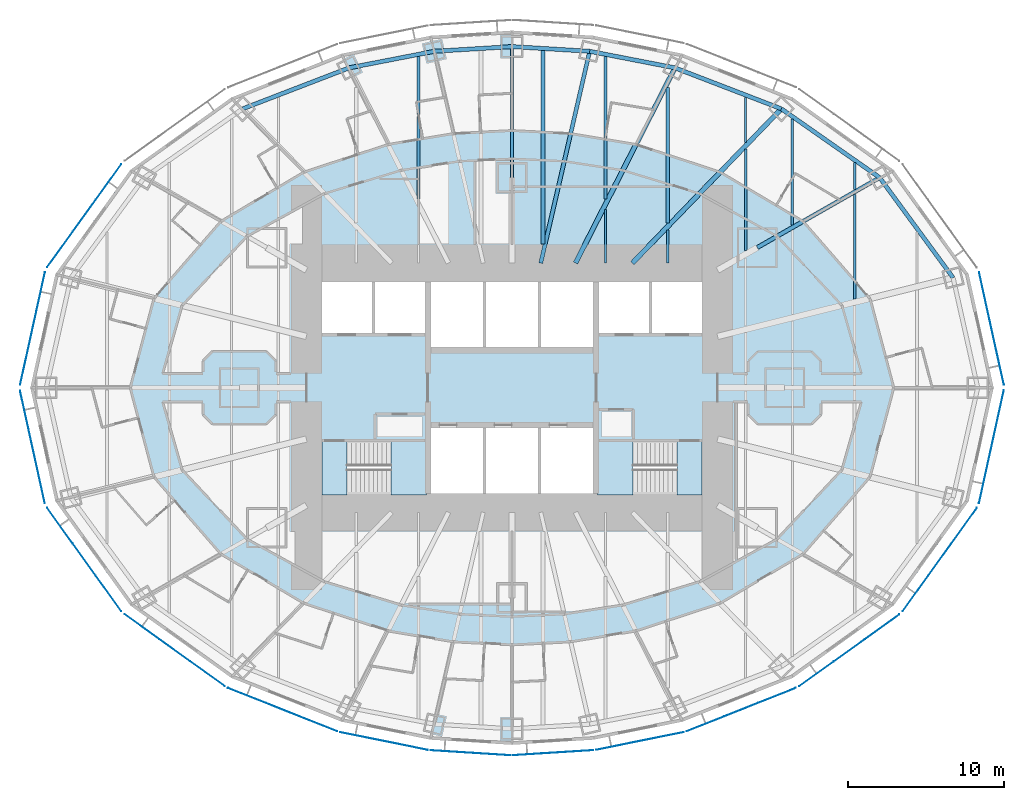
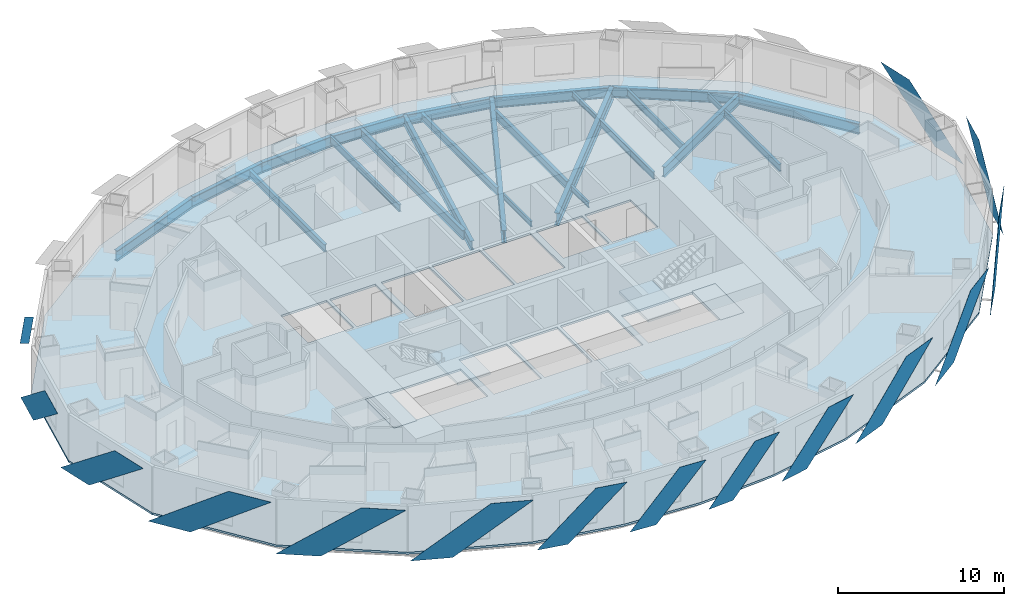
# One storey, part 3 of 15: 24 beams, 15 plates, 5 slabs, 2 elements without a shape of their own.
"""IFC4 building model written with IfcOpenShell, lengths in metres."""

from ifc_helpers import new_model, si_unit, direction, frame, origin, origin_2d, place, context, subcontext, project, spatial, polyline, i_section, outline, extrude, material, layer, layer_set, material_profile, profile_set, type_object, element, aggregate, save


model = new_model("IFC4")

# Units and contexts
model_context = context("Model", 3, precision=1e-05, world=origin(), true_north=direction((0.0, 1.0)))
body_context = subcontext(model_context, "Body", "Model", "MODEL_VIEW")
ifc_project = project(units=[si_unit("LENGTHUNIT", "METRE"), si_unit("AREAUNIT", "SQUARE_METRE"), si_unit("VOLUMEUNIT", "CUBIC_METRE"), si_unit("PLANEANGLEUNIT", "RADIAN"), si_unit("MASSUNIT", "GRAM", prefix="KILO")], contexts=[model_context])

# Site, building, storey
site_placement = place(None, origin())
site = spatial("IfcSite", under=ifc_project, at=site_placement, CompositionType="ELEMENT")
building_placement = place(site_placement, origin())
building = spatial("IfcBuilding", under=site, at=building_placement, Name="Lantaw Convention Tower", CompositionType="ELEMENT")
storey_placement = place(building_placement, frame((0.0, 0.0, 65.800048828125)))
storey = spatial("IfcBuildingStorey", under=building, at=storey_placement, Name="L14", CompositionType="ELEMENT", Elevation=65.800048828125)

# Beams
ifc_material_1 = material(Name="Steel ASTM A992", Category="steel")
ifc_material_profile_1 = material_profile(ifc_material_1, i_section(OverallWidth=0.2666015625, OverallDepth=0.76953125, WebThickness=0.015625, FlangeThickness=0.025390625, FilletRadius=0.0126953125, at=origin_2d()), Name="W30X132")
ifc_profile_set_1 = profile_set([ifc_material_profile_1], Name="Steel ASTM A992")
beam_type_1 = type_object("IfcBeamType", Name="Beam E W30X132", PredefinedType="SPANDREL", material=ifc_profile_set_1)
beam_1_placement = place(storey_placement, frame((28.31787109375, 7.060302734375, -0.534912109375), z_axis=(-0.591270709086, 0.806473154281, 0.0), x_axis=(-0.806473154281, -0.591270709086, 0.0)))
element("IfcBeam", 1, at=beam_1_placement, inside=storey, type_object=beam_type_1, Name="Edge beam 2", PredefinedType="SPANDREL", context=body_context, shape_type="SweptSolid", body=[
    extrude(i_section(OverallWidth=0.2666015625, OverallDepth=0.76953125, WebThickness=0.015625, FlangeThickness=0.025390625, FilletRadius=0.0126953125, at=origin_2d()), origin(), (0.0, 0.0, 1.0), 7.970703125),
])
beam_2_placement = place(storey_placement, frame((23.60498046875, 13.488525390625, -0.534912109375), z_axis=(-0.81942686407, 0.57318375277, 0.0), x_axis=(-0.57318375277, -0.81942686407, 0.0)))
element("IfcBeam", 2, at=beam_2_placement, inside=storey, type_object=beam_type_1, Name="Edge beam 3", PredefinedType="SPANDREL", context=body_context, shape_type="SweptSolid", body=[
    extrude(i_section(OverallWidth=0.2666015625, OverallDepth=0.76953125, WebThickness=0.015625, FlangeThickness=0.025390625, FilletRadius=0.0126953125, at=origin_2d()), origin(), (0.0, 0.0, 1.0), 7.70556640625),
])
beam_3_placement = place(storey_placement, frame((17.290771484375, 17.9052734375, -0.534912109375), z_axis=(-0.933232900641, 0.359271976588, 0.0), x_axis=(-0.359271976588, -0.933232900641, 0.0)))
element("IfcBeam", 3, at=beam_3_placement, inside=storey, type_object=beam_type_1, Name="Edge beam 4", PredefinedType="SPANDREL", context=body_context, shape_type="SweptSolid", body=[
    extrude(i_section(OverallWidth=0.2666015625, OverallDepth=0.76953125, WebThickness=0.015625, FlangeThickness=0.025390625, FilletRadius=0.0126953125, at=origin_2d()), origin(), (0.0, 0.0, 1.0), 7.316650390625),
])
beam_4_placement = place(storey_placement, frame((10.462646484375, 20.533935546875, -0.534912109375), z_axis=(-0.981636565323, 0.190760723474, 0.0), x_axis=(-0.190760723474, -0.981636565323, 0.0)))
element("IfcBeam", 4, at=beam_4_placement, inside=storey, type_object=beam_type_1, Name="Edge beam 5", PredefinedType="SPANDREL", context=body_context, shape_type="SweptSolid", body=[
    extrude(i_section(OverallWidth=0.2666015625, OverallDepth=0.76953125, WebThickness=0.015625, FlangeThickness=0.025390625, FilletRadius=0.0126953125, at=origin_2d()), origin(), (0.0, 0.0, 1.0), 5.578857421875),
])
for number, where, z_axis, x_axis, name in (
    (5, (4.986328125, 21.59814453125, -0.534912109375), (-0.998173858406, 0.060406526096, 0.0), (-0.060406526096, -0.998173858406, 0.0), "Edge beam 6"),
    (6, (0.0, 21.89990234375, -0.534912109375), (-0.998173858406, -0.060406526096, 0.0), (0.060406526096, -0.998173858406, 0.0), "Edge beam 7"),
):
    element("IfcBeam", number, at=place(storey_placement, frame(where, z_axis=z_axis, x_axis=x_axis)), inside=storey, type_object=beam_type_1, Name=name, PredefinedType="SPANDREL", context=body_context, shape_type="SweptSolid", body=[
        extrude(i_section(OverallWidth=0.2666015625, OverallDepth=0.76953125, WebThickness=0.015625, FlangeThickness=0.025390625, FilletRadius=0.0126953125, at=origin_2d()), origin(), (0.0, 0.0, 1.0), 4.995361328125),
    ])
beam_5_placement = place(storey_placement, frame((-4.986328125, 21.59814453125, -0.534912109375), z_axis=(-0.981636565323, -0.190760723474, 0.0), x_axis=(0.190760723474, -0.981636565323, 0.0)))
element("IfcBeam", 7, at=beam_5_placement, inside=storey, type_object=beam_type_1, Name="Edge beam 8", PredefinedType="SPANDREL", context=body_context, shape_type="SweptSolid", body=[
    extrude(i_section(OverallWidth=0.2666015625, OverallDepth=0.76953125, WebThickness=0.015625, FlangeThickness=0.025390625, FilletRadius=0.0126953125, at=origin_2d()), origin(), (0.0, 0.0, 1.0), 5.578857421875),
])
beam_6_placement = place(storey_placement, frame((-10.462646484375, 20.533935546875, -0.534912109375), z_axis=(-0.933232900641, -0.359271976588, 0.0), x_axis=(0.359271976588, -0.933232900641, 0.0)))
element("IfcBeam", 8, at=beam_6_placement, inside=storey, type_object=beam_type_1, Name="Edge beam 9", PredefinedType="SPANDREL", context=body_context, shape_type="SweptSolid", body=[
    extrude(i_section(OverallWidth=0.2666015625, OverallDepth=0.76953125, WebThickness=0.015625, FlangeThickness=0.025390625, FilletRadius=0.0126953125, at=origin_2d()), origin(), (0.0, 0.0, 1.0), 7.316650390625),
])
ifc_material_profile_2 = material_profile(ifc_material_1, i_section(OverallWidth=0.1650390625, OverallDepth=0.52587890625, WebThickness=0.0087890625, FlangeThickness=0.011474609375, FilletRadius=0.0126953125, at=origin_2d()), Name="W21X44")
ifc_profile_set_2 = profile_set([ifc_material_profile_2], Name="Steel ASTM A992")
beam_type_2 = type_object("IfcBeamType", Name="Beam G W21X44", PredefinedType="BEAM", material=ifc_profile_set_2)
beam_7_placement = place(storey_placement, frame((0.0, 13.5, -0.412841796875), z_axis=(0.0, 1.0, 0.0), x_axis=(-1.0, 0.0, 0.0)))
element("IfcBeam", 9, at=beam_7_placement, inside=storey, type_object=beam_type_2, Name="Floor girder on ray 7", PredefinedType="BEAM", context=body_context, shape_type="SweptSolid", body=[
    extrude(i_section(OverallWidth=0.1650390625, OverallDepth=0.52587890625, WebThickness=0.0087890625, FlangeThickness=0.011474609375, FilletRadius=0.0126953125, at=origin_2d()), origin(), (0.0, 0.0, 1.0), 8.39990234375),
])
ifc_material_profile_3 = material_profile(ifc_material_1, i_section(OverallWidth=0.25390625, OverallDepth=0.683349609375, WebThickness=0.012451171875, FlangeThickness=0.01904296875, FilletRadius=0.01513671875, at=origin_2d()), Name="W27X94")
ifc_profile_set_3 = profile_set([ifc_material_profile_3], Name="Steel ASTM A992")
beam_type_3 = type_object("IfcBeamType", Name="Beam G W27X94", PredefinedType="BEAM", material=ifc_profile_set_3)
beam_8_placement = place(storey_placement, frame((1.846923828125, 8.0, -0.49169921875), z_axis=(0.224952773175, 0.97436966796, 0.0), x_axis=(-0.97436966796, 0.224952773175, 0.0)))
element("IfcBeam", 10, at=beam_8_placement, inside=storey, type_object=beam_type_3, Name="Floor girder on ray 6", PredefinedType="BEAM", context=body_context, shape_type="SweptSolid", body=[
    extrude(i_section(OverallWidth=0.25390625, OverallDepth=0.683349609375, WebThickness=0.012451171875, FlangeThickness=0.01904296875, FilletRadius=0.01513671875, at=origin_2d()), origin(), (0.0, 0.0, 1.0), 13.955810546875),
])
ifc_material_profile_4 = material_profile(ifc_material_1, i_section(OverallWidth=0.2666015625, OverallDepth=0.7568359375, WebThickness=0.013916015625, FlangeThickness=0.019287109375, FilletRadius=0.0126953125, at=origin_2d()), Name="W30X108")
ifc_profile_set_4 = profile_set([ifc_material_profile_4], Name="Steel ASTM A992")
beam_type_4 = type_object("IfcBeamType", Name="Beam G W30X108", PredefinedType="BEAM", material=ifc_profile_set_4)
beam_9_placement = place(storey_placement, frame((15.75, 9.0, -0.528564453125), z_axis=(0.868244802791, 0.496136032179, 0.0), x_axis=(-0.496136032179, 0.868244802791, 0.0)))
element("IfcBeam", 11, at=beam_9_placement, inside=storey, type_object=beam_type_4, Name="Floor girder on ray 3", PredefinedType="BEAM", context=body_context, shape_type="SweptSolid", body=[
    extrude(i_section(OverallWidth=0.2666015625, OverallDepth=0.7568359375, WebThickness=0.013916015625, FlangeThickness=0.019287109375, FilletRadius=0.0126953125, at=origin_2d()), origin(), (0.0, 0.0, 1.0), 9.046875),
])
ifc_material_profile_5 = material_profile(ifc_material_1, i_section(OverallWidth=0.307373046875, OverallDepth=0.922119140625, WebThickness=0.018310546875, FlangeThickness=0.030029296875, FilletRadius=0.0126953125, at=origin_2d()), Name="W36X182")
ifc_profile_set_5 = profile_set([ifc_material_profile_5], Name="Steel ASTM A992")
beam_type_5 = type_object("IfcBeamType", Name="Beam G W36X182", PredefinedType="BEAM", material=ifc_profile_set_5)
beam_10_placement = place(storey_placement, frame((7.7255859375, 8.0, -0.611083984375), z_axis=(0.694649884291, 0.719347995239, 0.0), x_axis=(-0.719347995239, 0.694649884291, 0.0)))
element("IfcBeam", 12, at=beam_10_placement, inside=storey, type_object=beam_type_5, Name="Floor girder on ray 4", PredefinedType="BEAM", context=body_context, shape_type="SweptSolid", body=[
    extrude(i_section(OverallWidth=0.307373046875, OverallDepth=0.922119140625, WebThickness=0.018310546875, FlangeThickness=0.030029296875, FilletRadius=0.0126953125, at=origin_2d()), origin(), (0.0, 0.0, 1.0), 13.769775390625),
])
beam_11_placement = place(storey_placement, frame((4.076171875, 8.0, -0.611083984375), z_axis=(0.453997016122, 0.891003203896, 0.0), x_axis=(-0.891003203896, 0.453997016122, 0.0)))
element("IfcBeam", 13, at=beam_11_placement, inside=storey, type_object=beam_type_5, Name="Floor girder on ray 5", PredefinedType="BEAM", context=body_context, shape_type="SweptSolid", body=[
    extrude(i_section(OverallWidth=0.307373046875, OverallDepth=0.922119140625, WebThickness=0.018310546875, FlangeThickness=0.030029296875, FilletRadius=0.0126953125, at=origin_2d()), origin(), (0.0, 0.0, 1.0), 14.067138671875),
])
ifc_material_profile_6 = material_profile(ifc_material_1, i_section(OverallWidth=0.140380859375, OverallDepth=0.40380859375, WebThickness=0.007080078125, FlangeThickness=0.01123046875, FilletRadius=0.01025390625, at=origin_2d()), Name="W16X31")
ifc_profile_set_6 = profile_set([ifc_material_profile_6], Name="Steel ASTM A992")
beam_type_6 = type_object("IfcBeamType", Name="Beam J W16X31", PredefinedType="JOIST", material=ifc_profile_set_6)
beam_12_placement = place(storey_placement, frame((6.0, 8.0, -0.35205078125), z_axis=(0.0, 1.0, 0.0), x_axis=(-1.0, 0.0, 0.0)))
element("IfcBeam", 14, at=beam_12_placement, inside=storey, type_object=beam_type_6, Name="Floor joist", PredefinedType="JOIST", context=body_context, shape_type="SweptSolid", body=[
    extrude(i_section(OverallWidth=0.140380859375, OverallDepth=0.40380859375, WebThickness=0.007080078125, FlangeThickness=0.01123046875, FilletRadius=0.01025390625, at=origin_2d()), origin(), (0.0, 0.0, 1.0), 3.437255859375),
])
beam_13_placement = place(storey_placement, frame((10.0, 8.0, -0.35205078125), z_axis=(0.0, 1.0, 0.0), x_axis=(-1.0, 0.0, 0.0)))
element("IfcBeam", 15, at=beam_13_placement, inside=storey, type_object=beam_type_6, Name="Floor joist", PredefinedType="JOIST", context=body_context, shape_type="SweptSolid", body=[
    extrude(i_section(OverallWidth=0.140380859375, OverallDepth=0.40380859375, WebThickness=0.007080078125, FlangeThickness=0.01123046875, FilletRadius=0.01025390625, at=origin_2d()), origin(), (0.0, 0.0, 1.0), 2.134033203125),
])
beam_14_placement = place(storey_placement, frame((15.0, 15.754150390625, -0.35205078125), z_axis=(0.0, 1.0, 0.0), x_axis=(-1.0, 0.0, 0.0)))
element("IfcBeam", 16, at=beam_14_placement, inside=storey, type_object=beam_type_6, Name="Floor joist", PredefinedType="JOIST", context=body_context, shape_type="SweptSolid", body=[
    extrude(i_section(OverallWidth=0.140380859375, OverallDepth=0.40380859375, WebThickness=0.007080078125, FlangeThickness=0.01123046875, FilletRadius=0.01025390625, at=origin_2d()), origin(), (0.0, 0.0, 1.0), 2.89013671875),
])
beam_15_placement = place(storey_placement, frame((22.0, 12.72509765625, -0.35205078125), z_axis=(0.0, 1.0, 0.0), x_axis=(-1.0, 0.0, 0.0)))
element("IfcBeam", 17, at=beam_15_placement, inside=storey, type_object=beam_type_6, Name="Floor joist", PredefinedType="JOIST", context=body_context, shape_type="SweptSolid", body=[
    extrude(i_section(OverallWidth=0.140380859375, OverallDepth=0.40380859375, WebThickness=0.007080078125, FlangeThickness=0.01123046875, FilletRadius=0.01025390625, at=origin_2d()), origin(), (0.0, 0.0, 1.0), 1.723388671875),
])
ifc_material_profile_7 = material_profile(ifc_material_1, i_section(OverallWidth=0.1650390625, OverallDepth=0.52587890625, WebThickness=0.0087890625, FlangeThickness=0.011474609375, FilletRadius=0.0126953125, at=origin_2d()), Name="W21X44")
ifc_profile_set_7 = profile_set([ifc_material_profile_7], Name="Steel ASTM A992")
beam_type_7 = type_object("IfcBeamType", Name="Beam J W21X44", PredefinedType="JOIST", material=ifc_profile_set_7)
beam_16_placement = place(storey_placement, frame((15.0, 8.803955078125, -0.412841796875), z_axis=(0.0, 1.0, 0.0), x_axis=(-1.0, 0.0, 0.0)))
element("IfcBeam", 18, at=beam_16_placement, inside=storey, type_object=beam_type_7, Name="Floor joist", PredefinedType="JOIST", context=body_context, shape_type="SweptSolid", body=[
    extrude(i_section(OverallWidth=0.1650390625, OverallDepth=0.52587890625, WebThickness=0.0087890625, FlangeThickness=0.011474609375, FilletRadius=0.0126953125, at=origin_2d()), origin(), (0.0, 0.0, 1.0), 6.5078125),
])
beam_17_placement = place(storey_placement, frame((18.0, 10.439208984375, -0.412841796875), z_axis=(0.0, 1.0, 0.0), x_axis=(-1.0, 0.0, 0.0)))
element("IfcBeam", 19, at=beam_17_placement, inside=storey, type_object=beam_type_7, Name="Floor joist", PredefinedType="JOIST", context=body_context, shape_type="SweptSolid", body=[
    extrude(i_section(OverallWidth=0.1650390625, OverallDepth=0.52587890625, WebThickness=0.0087890625, FlangeThickness=0.011474609375, FilletRadius=0.0126953125, at=origin_2d()), origin(), (0.0, 0.0, 1.0), 6.80712890625),
])
beam_18_placement = place(storey_placement, frame((22.0, 5.693359375, -0.412841796875), z_axis=(0.0, 1.0, 0.0), x_axis=(-1.0, 0.0, 0.0)))
element("IfcBeam", 20, at=beam_18_placement, inside=storey, type_object=beam_type_7, Name="Floor joist", PredefinedType="JOIST", context=body_context, shape_type="SweptSolid", body=[
    extrude(i_section(OverallWidth=0.1650390625, OverallDepth=0.52587890625, WebThickness=0.0087890625, FlangeThickness=0.011474609375, FilletRadius=0.0126953125, at=origin_2d()), origin(), (0.0, 0.0, 1.0), 6.724609375),
])
ifc_material_profile_8 = material_profile(ifc_material_1, i_section(OverallWidth=0.2099609375, OverallDepth=0.535888671875, WebThickness=0.010986328125, FlangeThickness=0.017333984375, FilletRadius=0.012939453125, at=origin_2d()), Name="W21X68")
ifc_profile_set_8 = profile_set([ifc_material_profile_8], Name="Steel ASTM A992")
beam_type_8 = type_object("IfcBeamType", Name="Beam J W21X68", PredefinedType="JOIST", material=ifc_profile_set_8)
for number, where, z_axis, x_axis, name in (
    (21, (-6.0, 12.1142578125, -0.41796875), (0.0, 1.0, 0.0), (-1.0, 0.0, 0.0), "Floor joist"),
    (22, (6.0, 12.1142578125, -0.41796875), (0.0, 1.0, 0.0), (-1.0, 0.0, 0.0), "Floor joist"),
):
    element("IfcBeam", number, at=place(storey_placement, frame(where, z_axis=z_axis, x_axis=x_axis)), inside=storey, type_object=beam_type_8, Name=name, PredefinedType="JOIST", context=body_context, shape_type="SweptSolid", body=[
        extrude(i_section(OverallWidth=0.2099609375, OverallDepth=0.535888671875, WebThickness=0.010986328125, FlangeThickness=0.017333984375, FilletRadius=0.012939453125, at=origin_2d()), origin(), (0.0, 0.0, 1.0), 9.15087890625),
    ])
ifc_material_profile_9 = material_profile(ifc_material_1, i_section(OverallWidth=0.227783203125, OverallDepth=0.60205078125, WebThickness=0.010498046875, FlangeThickness=0.014892578125, FilletRadius=0.012939453125, at=origin_2d()), Name="W24X68")
ifc_profile_set_9 = profile_set([ifc_material_profile_9], Name="Steel ASTM A992")
beam_type_9 = type_object("IfcBeamType", Name="Beam J W24X68", PredefinedType="JOIST", material=ifc_profile_set_9)
beam_19_placement = place(storey_placement, frame((10.0, 10.576416015625, -0.450927734375), z_axis=(0.0, 1.0, 0.0), x_axis=(-1.0, 0.0, 0.0)))
element("IfcBeam", 23, at=beam_19_placement, inside=storey, type_object=beam_type_9, Name="Floor joist", PredefinedType="JOIST", context=body_context, shape_type="SweptSolid", body=[
    extrude(i_section(OverallWidth=0.227783203125, OverallDepth=0.60205078125, WebThickness=0.010498046875, FlangeThickness=0.014892578125, FilletRadius=0.012939453125, at=origin_2d()), origin(), (0.0, 0.0, 1.0), 8.711181640625),
])
ifc_material_profile_10 = material_profile(ifc_material_1, i_section(OverallWidth=0.25390625, OverallDepth=0.700927734375, WebThickness=0.015380859375, FlangeThickness=0.02783203125, FilletRadius=0.01513671875, at=origin_2d()), Name="W27X129")
ifc_profile_set_10 = profile_set([ifc_material_profile_10], Name="Steel ASTM A992")
beam_type_10 = type_object("IfcBeamType", Name="Beam J W27X129", PredefinedType="JOIST", material=ifc_profile_set_10)
beam_20_placement = place(storey_placement, frame((2.0, 9.2275390625, -0.50048828125), z_axis=(0.0, 1.0, 0.0), x_axis=(-1.0, 0.0, 0.0)))
element("IfcBeam", 24, at=beam_20_placement, inside=storey, type_object=beam_type_10, Name="Floor joist", PredefinedType="JOIST", context=body_context, shape_type="SweptSolid", body=[
    extrude(i_section(OverallWidth=0.25390625, OverallDepth=0.700927734375, WebThickness=0.015380859375, FlangeThickness=0.02783203125, FilletRadius=0.01513671875, at=origin_2d()), origin(), (0.0, 0.0, 1.0), 12.417724609375),
])

# Slab
ifc_material_2 = material(Name="Concrete C35/45", Category="concrete")
ifc_layer_1 = layer(ifc_material_2, 0.14990234375)
ifc_layer_set_1 = layer_set([ifc_layer_1], Name="Floor slab 150")
slab_type_1 = type_object("IfcSlabType", Name="Floor slab 150", PredefinedType="FLOOR", material=ifc_layer_set_1)
slab_1_placement = place(storey_placement, frame((0.0, 0.0, -0.150146484375)))
element("IfcSlab", 25, at=slab_1_placement, inside=storey, type_object=slab_type_1, Name="L14 floor slab", PredefinedType="FLOOR", context=body_context, shape_type="SweptSolid", body=[
    extrude(outline(polyline([(29.315185546875, -7.29541015625), (30.923095703125, 0.0), (29.315185546875, 7.29541015625), (24.50634765625, 13.98046875), (18.018798828125, 18.630126953125), (10.9404296875, 21.44189453125), (5.223876953125, 22.59521484375), (0.0, 22.9248046875), (-5.223876953125, 22.59521484375), (-10.9404296875, 21.44189453125), (-18.018798828125, 18.630126953125), (-24.50634765625, 13.98046875), (-29.315185546875, 7.29541015625), (-30.923095703125, 0.0), (-29.315185546875, -7.29541015625), (-24.50634765625, -13.98046875), (-18.018798828125, -18.630126953125), (-10.9404296875, -21.44189453125), (-5.223876953125, -22.59521484375), (0.0, -22.9248046875), (5.223876953125, -22.59521484375), (10.9404296875, -21.44189453125), (18.018798828125, -18.630126953125), (24.50634765625, -13.98046875), (29.315185546875, -7.29541015625)]), holes=[polyline([(-5.60009765625, -3.5), (-12.199951171875, -3.5), (-12.199951171875, -6.800048828125), (-5.60009765625, -6.800048828125), (-5.60009765625, -3.5)]), polyline([(-1.86669921875, -6.800048828125), (-1.86669921875, -2.60009765625), (-5.199951171875, -2.60009765625), (-5.199951171875, -6.800048828125), (-1.86669921875, -6.800048828125)]), polyline([(-1.86669921875, 2.60009765625), (-1.86669921875, 6.800048828125), (-5.199951171875, 6.800048828125), (-5.199951171875, 2.60009765625), (-1.86669921875, 2.60009765625)]), polyline([(1.666748046875, 6.800048828125), (-1.666748046875, 6.800048828125), (-1.666748046875, 2.60009765625), (1.666748046875, 2.60009765625), (1.666748046875, 6.800048828125)]), polyline([(-9.0, 3.5), (-9.0, 6.800048828125), (-12.199951171875, 6.800048828125), (-12.199951171875, 3.5), (-9.0, 3.5)]), polyline([(-5.60009765625, 3.5), (-5.60009765625, 6.800048828125), (-8.800048828125, 6.800048828125), (-8.800048828125, 3.5), (-5.60009765625, 3.5)]), polyline([(12.199951171875, -3.5), (5.60009765625, -3.5), (5.60009765625, -6.800048828125), (12.199951171875, -6.800048828125), (12.199951171875, -3.5)]), polyline([(1.666748046875, -6.800048828125), (1.666748046875, -2.60009765625), (-1.666748046875, -2.60009765625), (-1.666748046875, -6.800048828125), (1.666748046875, -6.800048828125)]), polyline([(5.199951171875, -6.800048828125), (5.199951171875, -2.60009765625), (1.86669921875, -2.60009765625), (1.86669921875, -6.800048828125), (5.199951171875, -6.800048828125)]), polyline([(5.199951171875, 6.800048828125), (1.86669921875, 6.800048828125), (1.86669921875, 2.60009765625), (5.199951171875, 2.60009765625), (5.199951171875, 6.800048828125)]), polyline([(8.800048828125, 3.5), (8.800048828125, 6.800048828125), (5.60009765625, 6.800048828125), (5.60009765625, 3.5), (8.800048828125, 3.5)]), polyline([(12.199951171875, 3.5), (12.199951171875, 6.800048828125), (9.0, 6.800048828125), (9.0, 3.5), (12.199951171875, 3.5)])]), origin(), (0.0, 0.0, 1.0), 0.150146484375),
])

# Plates
ifc_material_3 = material(Name="Perforated aluminium sheet, pale silver finish", Category="aluminium")
ifc_layer_2 = layer(ifc_material_3, 0.006103515625)
ifc_layer_set_2 = layer_set([ifc_layer_2], Name="Perforated aluminium solar SCREEN panel")
plate_type = type_object("IfcPlateType", Name="Perforated aluminium solar SCREEN panel", PredefinedType="SHEET", material=ifc_layer_set_2)
plate_1_placement = place(storey_placement, frame((31.5810546875, 0.17919921875, -0.175048828125), z_axis=(-0.97655943558, -0.215247921852, 3.0295023e-05), x_axis=(-0.215247921951, 0.976559436028, 3.12e-10)))
element("IfcPlate", 26, at=plate_1_placement, inside=storey, type_object=plate_type, Name="Solar SCREEN panel", PredefinedType="SHEET", context=body_context, shape_type="SweptSolid", body=[
    extrude(outline(polyline([(0.0, 0.0), (2.551002212329069, 3.3881317890172014e-21), (7.402498252985418, -3.739990233781388), (4.851734458487411, -3.7399902353733405), (0.0, 0.0)])), origin(), (0.0, 0.0, -1.0), 0.006103515625),
])
plate_2_placement = place(storey_placement, frame((-25.0810546875, 14.34765625, -0.175048828125), z_axis=(0.811791382613, -0.583947558463, 9.019268e-06), x_axis=(-0.583947558486, -0.811791382646, 0.0)))
element("IfcPlate", 27, at=plate_2_placement, inside=storey, type_object=plate_type, Name="Solar SCREEN panel", PredefinedType="SHEET", context=body_context, shape_type="SweptSolid", body=[
    extrude(outline(polyline([(0.0, 0.0), (2.809541672291133, 0.0), (8.163093158837512, -3.739990234527119), (5.353551486546379, -3.739990234527119), (0.0, 0.0)])), origin(), (0.0, 0.0, -1.0), 0.006103515625),
])
plate_3_placement = place(storey_placement, frame((-29.98779296875, 7.408203125, -0.175048828125), z_axis=(-0.97655943558, 0.215247921852, 3.0295023e-05), x_axis=(-0.215247921951, -0.976559436028, -3.12e-10)))
element("IfcPlate", 28, at=plate_3_placement, inside=storey, type_object=plate_type, Name="Solar SCREEN panel", PredefinedType="SHEET", context=body_context, shape_type="SweptSolid", body=[
    extrude(outline(polyline([(0.0, 0.0), (2.5507637944980077, 6.776263578034403e-21), (7.402498250651261, 3.7399902384013473), (4.851496038322192, 3.739990236809246), (0.0, 0.0)])), origin(), (0.0, 0.0, -1.0), 0.006103515625),
])
plate_4_placement = place(storey_placement, frame((-31.5810546875, -0.17919921875, -0.175048828125), z_axis=(0.97655943558, 0.215247921852, 3.0295023e-05), x_axis=(0.215247921951, -0.976559436028, 3.12e-10)))
element("IfcPlate", 29, at=plate_4_placement, inside=storey, type_object=plate_type, Name="Solar SCREEN panel", PredefinedType="SHEET", context=body_context, shape_type="SweptSolid", body=[
    extrude(outline(polyline([(0.0, 0.0), (2.551002212329069, 3.3881317890172014e-21), (7.402498252985418, -3.739990233781388), (4.851734458487411, -3.7399902353733405), (0.0, 0.0)])), origin(), (0.0, 0.0, -1.0), 0.006103515625),
])
plate_5_placement = place(storey_placement, frame((-29.847900390625, -7.720947265625, -0.175048828125), z_axis=(-0.811791382613, -0.583947558463, 9.019268e-06), x_axis=(0.583947558486, -0.811791382646, 0.0)))
element("IfcPlate", 30, at=plate_5_placement, inside=storey, type_object=plate_type, Name="Solar SCREEN panel", PredefinedType="SHEET", context=body_context, shape_type="SweptSolid", body=[
    extrude(outline(polyline([(0.0, 0.0), (2.809541672291133, 0.0), (8.163093158837512, 3.739990234527119), (5.353551486546379, 3.739990234527119), (0.0, 0.0)])), origin(), (0.0, 0.0, -1.0), 0.006103515625),
])
plate_6_placement = place(storey_placement, frame((-24.872314453125, -14.555908203125, -0.175048828125), z_axis=(-0.582561421998, -0.812786681331, 1.5819417e-05), x_axis=(0.812786681433, -0.582561422071, 0.0)))
element("IfcPlate", 31, at=plate_6_placement, inside=storey, type_object=plate_type, Name="Solar SCREEN panel", PredefinedType="SHEET", context=body_context, shape_type="SweptSolid", body=[
    extrude(outline(polyline([(0.0, 0.0), (2.721095180812288, 3.3881317890172014e-21), (7.903118572410756, 3.739990234842974), (5.182023391598468, 3.739990234842974), (0.0, 0.0)])), origin(), (0.0, 0.0, -1.0), 0.006103515625),
])
plate_7_placement = place(storey_placement, frame((-18.232177734375, -19.278076171875, -0.175048828125), z_axis=(0.369183532846, 0.929356508016, 9.163296e-06), x_axis=(0.929356508055, -0.369183532862, 0.0)))
element("IfcPlate", 32, at=plate_7_placement, inside=storey, type_object=plate_type, Name="Solar SCREEN panel", PredefinedType="SHEET", context=body_context, shape_type="SweptSolid", body=[
    extrude(outline(polyline([(0.0, 0.0), (2.594936467166582, -1.6940658945086007e-21), (7.5321069917580825, -3.739990234532016), (4.937170524591499, -3.739990234532016), (0.0, 0.0)])), origin(), (0.0, 0.0, -1.0), 0.006103515625),
])
plate_8_placement = place(storey_placement, frame((-11.03271484375, -22.117919921875, -0.175048828125), z_axis=(0.197781876197, 0.980246055561, 2.418535e-06), x_axis=(0.980246055563, -0.197781876198, 1.46e-10)))
element("IfcPlate", 33, at=plate_8_placement, inside=storey, type_object=plate_type, Name="Solar SCREEN panel", PredefinedType="SHEET", context=body_context, shape_type="SweptSolid", body=[
    extrude(outline(polyline([(0.0, 0.0), (1.9867801772236329, -3.1763735522036263e-22), (5.743587245978565, -3.7399902335493134), (3.7568553553458006, -3.739990234128105), (0.0, 0.0)])), origin(), (0.0, 0.0, -1.0), 0.006103515625),
])
plate_9_placement = place(storey_placement, frame((-5.221923828125, -23.27783203125, -0.175048828125), z_axis=(0.062923905251, 0.998018327468, 1.3605496e-05), x_axis=(0.998018327561, -0.062923905257, 9.3e-10)))
element("IfcPlate", 34, at=plate_9_placement, inside=storey, type_object=plate_type, Name="Solar SCREEN panel", PredefinedType="SHEET", context=body_context, shape_type="SweptSolid", body=[
    extrude(outline(polyline([(0.0, 0.0), (1.7828375409377817, -2.117582368135751e-22), (5.143985963027618, -3.739990229938699), (3.3611637843713935, -3.7399902332537565), (0.0, 0.0)])), origin(), (0.0, 0.0, -1.0), 0.006103515625),
])
plate_10_placement = place(storey_placement, frame((0.088134765625, -23.6015625, -0.175048828125), z_axis=(0.062923905251, -0.998018327468, 1.3605496e-05), x_axis=(0.998018327561, 0.062923905257, -9.3e-10)))
element("IfcPlate", 35, at=plate_10_placement, inside=storey, type_object=plate_type, Name="Solar SCREEN panel", PredefinedType="SHEET", context=body_context, shape_type="SweptSolid", body=[
    extrude(outline(polyline([(0.0, 0.0), (1.782822178656225, -2.117582368135751e-22), (5.143985956073316, 3.7399902395036517), (3.3611484151355353, 3.7399902361885653), (0.0, 0.0)])), origin(), (0.0, 0.0, -1.0), 0.006103515625),
])
plate_11_placement = place(storey_placement, frame((5.402587890625, -23.25390625, -0.175048828125), z_axis=(0.197781876197, -0.980246055561, 2.418535e-06), x_axis=(0.980246055563, 0.197781876198, -1.46e-10)))
element("IfcPlate", 36, at=plate_11_placement, inside=storey, type_object=plate_type, Name="Solar SCREEN panel", PredefinedType="SHEET", context=body_context, shape_type="SweptSolid", body=[
    extrude(outline(polyline([(0.0, 0.0), (1.9867318906327642, 1.0587911840678754e-22), (5.743587244888999, 3.7399902352225842), (3.7568070676653664, 3.7399902346437783), (0.0, 0.0)])), origin(), (0.0, 0.0, -1.0), 0.006103515625),
])
plate_12_placement = place(storey_placement, frame((11.232177734375, -22.058837890625, -0.175048828125), z_axis=(0.369183532846, -0.929356508016, 9.163296e-06), x_axis=(0.929356508055, 0.369183532862, 0.0)))
element("IfcPlate", 37, at=plate_12_placement, inside=storey, type_object=plate_type, Name="Solar SCREEN panel", PredefinedType="SHEET", context=body_context, shape_type="SweptSolid", body=[
    extrude(outline(polyline([(0.0, 0.0), (2.594936467166582, 1.6940658945086007e-21), (7.5321069917580825, 3.739990234532016), (4.937170524591499, 3.739990234532016), (0.0, 0.0)])), origin(), (0.0, 0.0, -1.0), 0.006103515625),
])
plate_13_placement = place(storey_placement, frame((18.44873046875, -19.159912109375, -0.175048828125), z_axis=(-0.582561421998, 0.812786681331, 1.5819417e-05), x_axis=(0.812786681433, 0.582561422071, 0.0)))
element("IfcPlate", 38, at=plate_13_placement, inside=storey, type_object=plate_type, Name="Solar SCREEN panel", PredefinedType="SHEET", context=body_context, shape_type="SweptSolid", body=[
    extrude(outline(polyline([(0.0, 0.0), (2.721095180812288, -3.3881317890172014e-21), (7.903118572410756, -3.739990234842974), (5.182023391598468, -3.739990234842974), (0.0, 0.0)])), origin(), (0.0, 0.0, -1.0), 0.006103515625),
])
plate_14_placement = place(storey_placement, frame((25.0810546875, -14.34765625, -0.175048828125), z_axis=(-0.811791382613, 0.583947558463, 9.019268e-06), x_axis=(0.583947558486, 0.811791382646, 0.0)))
element("IfcPlate", 39, at=plate_14_placement, inside=storey, type_object=plate_type, Name="Solar SCREEN panel", PredefinedType="SHEET", context=body_context, shape_type="SweptSolid", body=[
    extrude(outline(polyline([(0.0, 0.0), (2.809541672291133, 0.0), (8.163093158837512, -3.739990234527119), (5.353551486546379, -3.739990234527119), (0.0, 0.0)])), origin(), (0.0, 0.0, -1.0), 0.006103515625),
])
plate_15_placement = place(storey_placement, frame((29.98779296875, -7.408203125, -0.175048828125), z_axis=(0.97655943558, -0.215247921852, 3.0295023e-05), x_axis=(0.215247921951, 0.976559436028, -3.12e-10)))
element("IfcPlate", 40, at=plate_15_placement, inside=storey, type_object=plate_type, Name="Solar SCREEN panel", PredefinedType="SHEET", context=body_context, shape_type="SweptSolid", body=[
    extrude(outline(polyline([(0.0, 0.0), (2.5507637944980077, 6.776263578034403e-21), (7.402498250651261, 3.7399902384013473), (4.851496038322192, 3.739990236809246), (0.0, 0.0)])), origin(), (0.0, 0.0, -1.0), 0.006103515625),
])

# Stair, slabs
stair_type = type_object("IfcStairType", Name="Exit stair 1500 riser 163.64 in 2 flights", PredefinedType="HALF_TURN_STAIR", material=ifc_material_2)
stair_1_placement = place(storey_placement, origin())
stair_1 = element("IfcStair", 41, at=stair_1_placement, inside=storey, type_object=stair_type, Name="Exit stair S1 L14", PredefinedType="HALF_TURN_STAIR")
ifc_layer_3 = layer(ifc_material_2, 0.199951171875)
ifc_layer_set_3 = layer_set([ifc_layer_3], Name="Stair landing 200")
slab_type_2 = type_object("IfcSlabType", Name="Stair landing 200", PredefinedType="LANDING", material=ifc_layer_set_3)
slab_2_placement = place(storey_placement, frame((0.0, 0.0, -0.199951171875)))
slab_2 = element("IfcSlab", 42, at=slab_2_placement, type_object=slab_type_2, Name="S1 landing 1", PredefinedType="LANDING", context=body_context, shape_type="SweptSolid", body=[
    extrude(outline(polyline([(-12.199951171875, -6.89990234375), (-10.580078125, -6.89990234375), (-10.580078125, -3.39990234375), (-12.199951171875, -3.39990234375), (-12.199951171875, -6.89990234375)])), origin(), (0.0, 0.0, 1.0), 0.199951171875),
])
slab_3_placement = place(storey_placement, frame((0.0, 0.0, 1.599853515625)))
slab_3 = element("IfcSlab", 43, at=slab_3_placement, type_object=slab_type_2, Name="S1 landing 2", PredefinedType="LANDING", context=body_context, shape_type="SweptSolid", body=[
    extrude(outline(polyline([(-7.780029296875, -6.89990234375), (-5.5, -6.89990234375), (-5.5, -3.39990234375), (-7.780029296875, -3.39990234375), (-7.780029296875, -6.89990234375)])), origin(), (0.0, 0.0, 1.0), 0.2001953125),
])
aggregate(stair_1, [slab_2, slab_3])

stair_2_placement = place(storey_placement, origin())
stair_2 = element("IfcStair", 44, at=stair_2_placement, inside=storey, type_object=stair_type, Name="Exit stair S2 L14", PredefinedType="HALF_TURN_STAIR")
slab_4_placement = place(storey_placement, frame((0.0, 0.0, -0.199951171875)))
slab_4 = element("IfcSlab", 45, at=slab_4_placement, type_object=slab_type_2, Name="S2 landing 1", PredefinedType="LANDING", context=body_context, shape_type="SweptSolid", body=[
    extrude(outline(polyline([(10.580078125, -6.89990234375), (12.199951171875, -6.89990234375), (12.199951171875, -3.39990234375), (10.580078125, -3.39990234375), (10.580078125, -6.89990234375)])), origin(), (0.0, 0.0, 1.0), 0.199951171875),
])
slab_5_placement = place(storey_placement, frame((0.0, 0.0, 1.599853515625)))
slab_5 = element("IfcSlab", 46, at=slab_5_placement, type_object=slab_type_2, Name="S2 landing 2", PredefinedType="LANDING", context=body_context, shape_type="SweptSolid", body=[
    extrude(outline(polyline([(5.5, -6.89990234375), (7.780029296875, -6.89990234375), (7.780029296875, -3.39990234375), (5.5, -3.39990234375), (5.5, -6.89990234375)])), origin(), (0.0, 0.0, 1.0), 0.2001953125),
])
aggregate(stair_2, [slab_4, slab_5])

save(model, "model.ifc")
